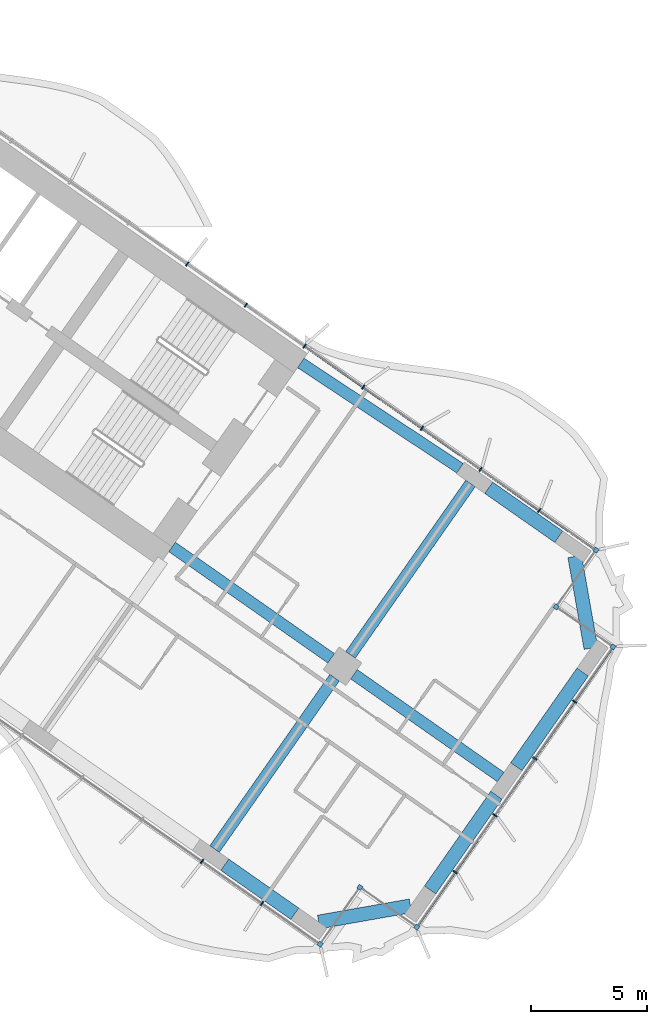
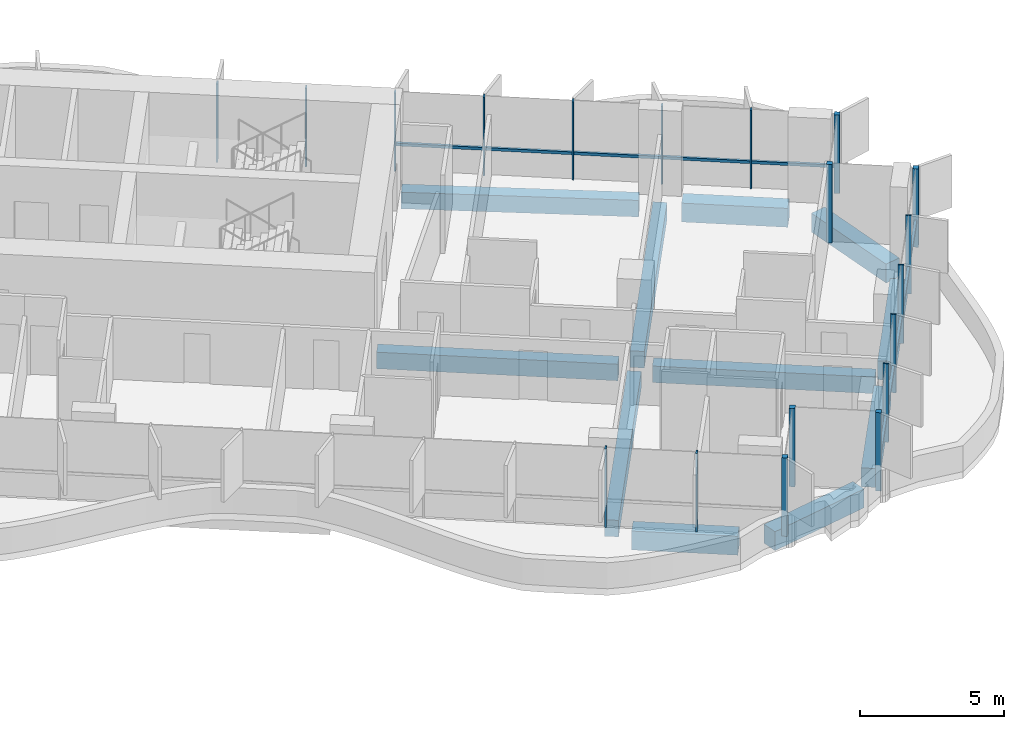
# One storey, part 9 of 23: 21 members, 11 beams, 2 elements without a shape of their own.
"""IFC4 building model written with IfcOpenShell, lengths in metres."""

from ifc_helpers import new_model, si_unit, direction, frame, origin, origin_2d, place, context, subcontext, project, spatial, rectangle, extrude, material, material_profile, profile_set, type_object, element, aggregate, save


model = new_model("IFC4")

# Units and contexts
model_context = context("Model", 3, precision=1e-05, world=origin(), true_north=direction((0.0, 1.0)))
body_context = subcontext(model_context, "Body", "Model", "MODEL_VIEW")
ifc_project = project(units=[si_unit("LENGTHUNIT", "METRE"), si_unit("AREAUNIT", "SQUARE_METRE"), si_unit("VOLUMEUNIT", "CUBIC_METRE"), si_unit("PLANEANGLEUNIT", "RADIAN"), si_unit("MASSUNIT", "GRAM", prefix="KILO")], contexts=[model_context])

# Site, building, storey
site_placement = place(None, origin())
site = spatial("IfcSite", under=ifc_project, at=site_placement, CompositionType="ELEMENT")
building_placement = place(site_placement, origin())
building = spatial("IfcBuilding", under=site, at=building_placement, Name="Tel Ilan Convention Tower", CompositionType="ELEMENT")
storey_placement = place(building_placement, frame((0.0, 0.0, 112.10009765625)))
storey = spatial("IfcBuildingStorey", under=building, at=storey_placement, Name="L24", CompositionType="ELEMENT", Elevation=112.10009765625)

# Beams
ifc_material_1 = material(Name="Concrete C40/50", Category="concrete")
ifc_material_profile_1 = material_profile(ifc_material_1, rectangle(XDim=0.5, YDim=0.699951171875, at=origin_2d()), Name="RC 500x700")
ifc_profile_set_1 = profile_set([ifc_material_profile_1], Name="Concrete C40/50")
beam_type_1 = type_object("IfcBeamType", Name="Beam RC 500x700 Concrete C40/50", PredefinedType="BEAM", material=ifc_profile_set_1)
beam_1_placement = place(storey_placement, frame((34.570556640625, -12.08447265625, -0.630126953125), z_axis=(-0.834273603487, 0.551350663847, 0.0), x_axis=(-0.551350663847, -0.834273603487, 0.0)))
element("IfcBeam", 1, at=beam_1_placement, inside=storey, type_object=beam_type_1, Name="L24 beam E-E-B4-core", PredefinedType="BEAM", context=body_context, shape_type="SweptSolid", body=[
    extrude(rectangle(XDim=0.5, YDim=0.699951171875, at=origin_2d()), origin(), (0.0, 0.0, 1.0), 8.2529296875),
])
beam_2_placement = place(storey_placement, frame((22.1171875, -15.486572265625, -0.630126953125), z_axis=(0.819147254605, -0.573583276668, 0.0), x_axis=(0.573583276668, 0.819147254605, 0.0)))
element("IfcBeam", 2, at=beam_2_placement, inside=storey, type_object=beam_type_1, Name="L24 beam E-core-E-M4", PredefinedType="BEAM", context=body_context, shape_type="SweptSolid", body=[
    extrude(rectangle(XDim=0.5, YDim=0.699951171875, at=origin_2d()), origin(), (0.0, 0.0, 1.0), 8.400146484375),
])
beam_3_placement = place(storey_placement, frame((29.98095703125, -20.992919921875, -0.630126953125), z_axis=(0.819159394801, -0.573565938589, 0.0), x_axis=(0.573565938589, 0.819159394801, 0.0)))
element("IfcBeam", 3, at=beam_3_placement, inside=storey, type_object=beam_type_1, Name="L24 beam E-E-M4-end", PredefinedType="BEAM", context=body_context, shape_type="SweptSolid", body=[
    extrude(rectangle(XDim=0.5, YDim=0.699951171875, at=origin_2d()), origin(), (0.0, 0.0, 1.0), 7.75),
])
for number, where, z_axis, x_axis, name in (
    (4, (29.145263671875, -21.14013671875, -0.630126953125), (-0.573549245583, -0.819171082798, 0.0), (0.819171082798, -0.573549245583, 0.0), "L24 beam E-E-M4-E-F4"),
    (5, (29.83349609375, -20.1572265625, -0.630126953125), (0.57358002233, 0.819149533348, 0.0), (-0.819149533348, 0.57358002233, 0.0), "L24 beam E-E-M4-E-B4"),
):
    element("IfcBeam", number, at=place(storey_placement, frame(where, z_axis=z_axis, x_axis=x_axis)), inside=storey, type_object=beam_type_1, Name=name, PredefinedType="BEAM", context=body_context, shape_type="SweptSolid", body=[
        extrude(rectangle(XDim=0.5, YDim=0.699951171875, at=origin_2d()), origin(), (0.0, 0.0, 1.0), 9.050048828125),
    ])
ifc_material_2 = material(Name="Concrete C40/50", Category="concrete")
ifc_material_profile_2 = material_profile(ifc_material_2, rectangle(XDim=0.60009765625, YDim=0.800048828125, at=origin_2d()), Name="RC 600x800")
ifc_profile_set_2 = profile_set([ifc_material_profile_2], Name="Concrete C40/50")
beam_type_2 = type_object("IfcBeamType", Name="Beam RC 600x800 Concrete C40/50", PredefinedType="BEAM", material=ifc_profile_set_2)
beam_4_placement = place(storey_placement, frame((24.396728515625, -29.2294921875, -0.68017578125), z_axis=(0.819132709951, -0.573604047656, 0.0), x_axis=(0.573604047656, 0.819132709951, 0.0)))
element("IfcBeam", 6, at=beam_4_placement, inside=storey, type_object=beam_type_2, Name="L24 beam E-E-F4-E-FC", PredefinedType="BEAM", context=body_context, shape_type="SweptSolid", body=[
    extrude(rectangle(XDim=0.60009765625, YDim=0.800048828125, at=origin_2d()), origin(), (0.0, 0.0, 1.0), 3.699951171875),
])
beam_5_placement = place(storey_placement, frame((28.459716796875, -31.708251953125, -0.68017578125), z_axis=(0.984806721117, 0.173654029734, 0.0), x_axis=(-0.173654029734, 0.984806721117, 0.0)))
element("IfcBeam", 7, at=beam_5_placement, inside=storey, type_object=beam_type_2, Name="L24 beam E-E-FC-E-E1", PredefinedType="BEAM", context=body_context, shape_type="SweptSolid", body=[
    extrude(rectangle(XDim=0.60009765625, YDim=0.800048828125, at=origin_2d()), origin(), (0.0, 0.0, 1.0), 4.03076171875),
])
for number, where, z_axis, x_axis, name in (
    (8, (33.277099609375, -30.3203125, -0.68017578125), (0.573586866468, 0.819144740944, 0.0), (-0.819144740944, 0.573586866468, 0.0), "L24 beam E-E-E1-E-E2"),
    (9, (37.00537109375, -24.995849609375, -0.68017578125), (0.573586866468, 0.819144740944, 0.0), (-0.819144740944, 0.573586866468, 0.0), "L24 beam E-E-E2-E-E3"),
):
    element("IfcBeam", number, at=place(storey_placement, frame(where, z_axis=z_axis, x_axis=x_axis)), inside=storey, type_object=beam_type_2, Name=name, PredefinedType="BEAM", context=body_context, shape_type="SweptSolid", body=[
        extrude(rectangle(XDim=0.60009765625, YDim=0.800048828125, at=origin_2d()), origin(), (0.0, 0.0, 1.0), 5.0),
    ])
beam_6_placement = place(storey_placement, frame((40.229736328125, -19.867919921875, -0.68017578125), z_axis=(-0.173664388751, 0.984804894423, 0.0), x_axis=(-0.984804894423, -0.173664388751, 0.0)))
element("IfcBeam", 10, at=beam_6_placement, inside=storey, type_object=beam_type_2, Name="L24 beam E-E-E3-E-BC", PredefinedType="BEAM", context=body_context, shape_type="SweptSolid", body=[
    extrude(rectangle(XDim=0.60009765625, YDim=0.800048828125, at=origin_2d()), origin(), (0.0, 0.0, 1.0), 4.030517578125),
])
beam_7_placement = place(storey_placement, frame((38.841796875, -15.050537109375, -0.68017578125), z_axis=(-0.819185419371, 0.573528768842, 0.0), x_axis=(-0.573528768842, -0.819185419371, 0.0)))
element("IfcBeam", 11, at=beam_7_placement, inside=storey, type_object=beam_type_2, Name="L24 beam E-E-BC-E-B4", PredefinedType="BEAM", context=body_context, shape_type="SweptSolid", body=[
    extrude(rectangle(XDim=0.60009765625, YDim=0.800048828125, at=origin_2d()), origin(), (0.0, 0.0, 1.0), 3.699951171875),
])

# Curtain wall, members
ifc_material_3 = material(Name="Aluminium, bronze anodised", Category="aluminium")
curtain_wall_type_1 = type_object("IfcCurtainWallType", Name="CW1 UNITISED CURTAIN WALL, HOTEL TINTED GLASS", PredefinedType="NOTDEFINED", material=ifc_material_3)
curtain_wall_1_placement = place(storey_placement, origin())
curtain_wall_1 = element("IfcCurtainWall", 12, at=curtain_wall_1_placement, inside=storey, type_object=curtain_wall_type_1, Name="Curtain wall CW1-20.02", PredefinedType="NOTDEFINED")
ifc_material_4 = material(Name="Aluminium, bronze anodised", Category="aluminium")
ifc_material_profile_3 = material_profile(ifc_material_4, rectangle(XDim=0.199951171875, YDim=0.199951171875, at=origin_2d()), Name="CW CORNER MULLION 200x200")
ifc_profile_set_3 = profile_set([ifc_material_profile_3], Name="Aluminium, bronze anodised")
member_type_1 = type_object("IfcMemberType", Name="CW CORNER MULLION 200x200", PredefinedType="MULLION", material=ifc_profile_set_3)
member_1_placement = place(storey_placement, frame((28.52099609375, -32.666748046875, 0.0), z_axis=(0.0, 0.0, 1.0), x_axis=(0.819152044289, -0.573576436351, 0.0)))
member_1 = element("IfcMember", 13, at=member_1_placement, type_object=member_type_1, Name="Corner mullion", PredefinedType="MULLION", context=body_context, shape_type="SweptSolid", body=[
    extrude(rectangle(XDim=0.199951171875, YDim=0.199951171875, at=origin_2d()), origin(), (0.0, 0.0, 1.0), 3.31982421875),
])
member_2_placement = place(storey_placement, frame((30.241943359375, -30.209228515625, 0.0), z_axis=(0.0, 0.0, 1.0), x_axis=(0.573576436351, 0.819152044289, 0.0)))
member_2 = element("IfcMember", 14, at=member_2_placement, type_object=member_type_1, Name="Corner mullion", PredefinedType="MULLION", context=body_context, shape_type="SweptSolid", body=[
    extrude(rectangle(XDim=0.199951171875, YDim=0.199951171875, at=origin_2d()), origin(), (0.0, 0.0, 1.0), 3.31982421875),
])
member_3_placement = place(storey_placement, frame((32.69921875, -31.929931640625, 0.0), z_axis=(0.0, 0.0, 1.0), x_axis=(0.819152044289, -0.573576436351, 0.0)))
member_3 = element("IfcMember", 15, at=member_3_placement, type_object=member_type_1, Name="Corner mullion", PredefinedType="MULLION", context=body_context, shape_type="SweptSolid", body=[
    extrude(rectangle(XDim=0.199951171875, YDim=0.199951171875, at=origin_2d()), origin(), (0.0, 0.0, 1.0), 3.31982421875),
])
member_4_placement = place(storey_placement, frame((41.188232421875, -19.806640625, 0.0), z_axis=(0.0, 0.0, 1.0), x_axis=(0.573576436351, 0.819152044289, 0.0)))
member_4 = element("IfcMember", 16, at=member_4_placement, type_object=member_type_1, Name="Corner mullion", PredefinedType="MULLION", context=body_context, shape_type="SweptSolid", body=[
    extrude(rectangle(XDim=0.199951171875, YDim=0.199951171875, at=origin_2d()), origin(), (0.0, 0.0, 1.0), 3.31982421875),
])
member_5_placement = place(storey_placement, frame((38.730712890625, -18.0859375, 0.0), z_axis=(0.0, 0.0, 1.0), x_axis=(-0.819152044289, 0.573576436351, 0.0)))
member_5 = element("IfcMember", 17, at=member_5_placement, type_object=member_type_1, Name="Corner mullion", PredefinedType="MULLION", context=body_context, shape_type="SweptSolid", body=[
    extrude(rectangle(XDim=0.199951171875, YDim=0.199951171875, at=origin_2d()), origin(), (0.0, 0.0, 1.0), 3.31982421875),
])
member_6_placement = place(storey_placement, frame((40.451416015625, -15.62841796875, 0.0), z_axis=(0.0, 0.0, 1.0), x_axis=(0.573576436351, 0.819152044289, 0.0)))
member_6 = element("IfcMember", 18, at=member_6_placement, type_object=member_type_1, Name="Corner mullion", PredefinedType="MULLION", context=body_context, shape_type="SweptSolid", body=[
    extrude(rectangle(XDim=0.199951171875, YDim=0.199951171875, at=origin_2d()), origin(), (0.0, 0.0, 1.0), 3.31982421875),
])

ifc_material_5 = material(Name="Aluminium, bronze anodised", Category="aluminium")
curtain_wall_type_2 = type_object("IfcCurtainWallType", Name="CW2 STICK CURTAIN WALL, SPANDREL PANELS", PredefinedType="NOTDEFINED", material=ifc_material_5)
curtain_wall_2_placement = place(storey_placement, origin())
curtain_wall_2 = element("IfcCurtainWall", 19, at=curtain_wall_2_placement, inside=storey, type_object=curtain_wall_type_2, Name="Curtain wall CW2-20.01", PredefinedType="NOTDEFINED")
ifc_material_6 = material(Name="Aluminium, bronze anodised", Category="aluminium")
ifc_material_profile_4 = material_profile(ifc_material_6, rectangle(XDim=0.06005859375, YDim=0.199951171875, at=origin_2d()), Name="CW MULLION 60x200")
ifc_profile_set_4 = profile_set([ifc_material_profile_4], Name="Aluminium, bronze anodised")
member_type_2 = type_object("IfcMemberType", Name="CW MULLION 60x200", PredefinedType="MULLION", material=ifc_profile_set_4)
member_7_placement = place(storey_placement, frame((27.848876953125, -6.803955078125, 0.0), z_axis=(0.0, 0.0, 1.0), x_axis=(-0.819152044289, 0.573576436351, 0.0)))
member_7 = element("IfcMember", 20, at=member_7_placement, type_object=member_type_2, Name="Mullion", PredefinedType="MULLION", context=body_context, shape_type="SweptSolid", body=[
    extrude(rectangle(XDim=0.06005859375, YDim=0.199951171875, at=origin_2d()), origin(), (0.0, 0.0, 1.0), 3.31982421875),
])
member_8_placement = place(storey_placement, frame((25.311767578125, -5.027587890625, 0.0), z_axis=(0.0, 0.0, 1.0), x_axis=(-0.819152044289, 0.573576436351, 0.0)))
member_8 = element("IfcMember", 21, at=member_8_placement, type_object=member_type_2, Name="Mullion", PredefinedType="MULLION", context=body_context, shape_type="SweptSolid", body=[
    extrude(rectangle(XDim=0.06005859375, YDim=0.199951171875, at=origin_2d()), origin(), (0.0, 0.0, 1.0), 3.31982421875),
])
member_9_placement = place(storey_placement, frame((22.77490234375, -3.251220703125, 0.0), z_axis=(0.0, 0.0, 1.0), x_axis=(-0.819152044289, 0.573576436351, 0.0)))
member_9 = element("IfcMember", 22, at=member_9_placement, type_object=member_type_2, Name="Mullion", PredefinedType="MULLION", context=body_context, shape_type="SweptSolid", body=[
    extrude(rectangle(XDim=0.06005859375, YDim=0.199951171875, at=origin_2d()), origin(), (0.0, 0.0, 1.0), 3.31982421875),
])
aggregate(curtain_wall_2, [member_7, member_8, member_9])

# Member
member_10_placement = place(storey_placement, frame((23.412841796875, -29.08984375, 0.0), z_axis=(0.0, 0.0, 1.0), x_axis=(0.819152044289, -0.573576436351, 0.0)))
member_10 = element("IfcMember", 23, at=member_10_placement, type_object=member_type_2, Name="Mullion", PredefinedType="MULLION", context=body_context, shape_type="SweptSolid", body=[
    extrude(rectangle(XDim=0.06005859375, YDim=0.199951171875, at=origin_2d()), origin(), (0.0, 0.0, 1.0), 3.31982421875),
])

member_11_placement = place(storey_placement, frame((26.008056640625, -30.906982421875, 0.0), z_axis=(0.0, 0.0, 1.0), x_axis=(0.819152044289, -0.573576436351, 0.0)))
member_11 = element("IfcMember", 24, at=member_11_placement, type_object=member_type_2, Name="Mullion", PredefinedType="MULLION", context=body_context, shape_type="SweptSolid", body=[
    extrude(rectangle(XDim=0.06005859375, YDim=0.199951171875, at=origin_2d()), origin(), (0.0, 0.0, 1.0), 3.31982421875),
])

member_12_placement = place(storey_placement, frame((34.362548828125, -29.554443359375, 0.0), z_axis=(0.0, 0.0, 1.0), x_axis=(0.573576436351, 0.819152044289, 0.0)))
member_12 = element("IfcMember", 25, at=member_12_placement, type_object=member_type_2, Name="Mullion", PredefinedType="MULLION", context=body_context, shape_type="SweptSolid", body=[
    extrude(rectangle(XDim=0.06005859375, YDim=0.199951171875, at=origin_2d()), origin(), (0.0, 0.0, 1.0), 3.31982421875),
])

member_13_placement = place(storey_placement, frame((36.08349609375, -27.096923828125, 0.0), z_axis=(0.0, 0.0, 1.0), x_axis=(0.573576436351, 0.819152044289, 0.0)))
member_13 = element("IfcMember", 26, at=member_13_placement, type_object=member_type_2, Name="Mullion", PredefinedType="MULLION", context=body_context, shape_type="SweptSolid", body=[
    extrude(rectangle(XDim=0.06005859375, YDim=0.199951171875, at=origin_2d()), origin(), (0.0, 0.0, 1.0), 3.31982421875),
])

member_14_placement = place(storey_placement, frame((37.80419921875, -24.6396484375, 0.0), z_axis=(0.0, 0.0, 1.0), x_axis=(0.573576436351, 0.819152044289, 0.0)))
member_14 = element("IfcMember", 27, at=member_14_placement, type_object=member_type_2, Name="Mullion", PredefinedType="MULLION", context=body_context, shape_type="SweptSolid", body=[
    extrude(rectangle(XDim=0.06005859375, YDim=0.199951171875, at=origin_2d()), origin(), (0.0, 0.0, 1.0), 3.31982421875),
])

member_15_placement = place(storey_placement, frame((39.52490234375, -22.18212890625, 0.0), z_axis=(0.0, 0.0, 1.0), x_axis=(0.573576436351, 0.819152044289, 0.0)))
member_15 = element("IfcMember", 28, at=member_15_placement, type_object=member_type_2, Name="Mullion", PredefinedType="MULLION", context=body_context, shape_type="SweptSolid", body=[
    extrude(rectangle(XDim=0.06005859375, YDim=0.199951171875, at=origin_2d()), origin(), (0.0, 0.0, 1.0), 3.31982421875),
])

member_16_placement = place(storey_placement, frame((37.99658203125, -13.909423828125, 0.0), z_axis=(0.0, 0.0, 1.0), x_axis=(-0.819152044289, 0.573576436351, 0.0)))
member_16 = element("IfcMember", 29, at=member_16_placement, type_object=member_type_2, Name="Mullion", PredefinedType="MULLION", context=body_context, shape_type="SweptSolid", body=[
    extrude(rectangle(XDim=0.06005859375, YDim=0.199951171875, at=origin_2d()), origin(), (0.0, 0.0, 1.0), 3.31982421875),
])

member_17_placement = place(storey_placement, frame((35.45947265625, -12.133056640625, 0.0), z_axis=(0.0, 0.0, 1.0), x_axis=(-0.819152044289, 0.573576436351, 0.0)))
member_17 = element("IfcMember", 30, at=member_17_placement, type_object=member_type_2, Name="Mullion", PredefinedType="MULLION", context=body_context, shape_type="SweptSolid", body=[
    extrude(rectangle(XDim=0.06005859375, YDim=0.199951171875, at=origin_2d()), origin(), (0.0, 0.0, 1.0), 3.31982421875),
])

member_18_placement = place(storey_placement, frame((32.922607421875, -10.356689453125, 0.0), z_axis=(0.0, 0.0, 1.0), x_axis=(-0.819152044289, 0.573576436351, 0.0)))
member_18 = element("IfcMember", 31, at=member_18_placement, type_object=member_type_2, Name="Mullion", PredefinedType="MULLION", context=body_context, shape_type="SweptSolid", body=[
    extrude(rectangle(XDim=0.06005859375, YDim=0.199951171875, at=origin_2d()), origin(), (0.0, 0.0, 1.0), 3.31982421875),
])

member_19_placement = place(storey_placement, frame((30.3857421875, -8.580322265625, 0.0), z_axis=(0.0, 0.0, 1.0), x_axis=(-0.819152044289, 0.573576436351, 0.0)))
member_19 = element("IfcMember", 32, at=member_19_placement, type_object=member_type_2, Name="Mullion", PredefinedType="MULLION", context=body_context, shape_type="SweptSolid", body=[
    extrude(rectangle(XDim=0.06005859375, YDim=0.199951171875, at=origin_2d()), origin(), (0.0, 0.0, 1.0), 3.31982421875),
])

ifc_material_7 = material(Name="Aluminium, bronze anodised", Category="aluminium")
ifc_material_profile_5 = material_profile(ifc_material_7, rectangle(XDim=0.10009765625, YDim=0.1201171875, at=origin_2d()), Name="CW TRANSOM 100x120")
ifc_profile_set_5 = profile_set([ifc_material_profile_5], Name="Aluminium, bronze anodised")
member_type_3 = type_object("IfcMemberType", Name="CW TRANSOM 100x120", PredefinedType="USERDEFINED", material=ifc_profile_set_5)
member_20_placement = place(storey_placement, frame((32.756591796875, -31.84814453125, 1.099853515625), z_axis=(0.573575688231, 0.819152568128, 0.0), x_axis=(-0.819152568128, 0.573575688231, 0.0)))
member_20 = element("IfcMember", 33, at=member_20_placement, type_object=member_type_3, Name="Transom", ObjectType="TRANSOM", PredefinedType="USERDEFINED", context=body_context, shape_type="SweptSolid", body=[
    extrude(rectangle(XDim=0.10009765625, YDim=0.1201171875, at=origin_2d()), origin(), (0.0, 0.0, 1.0), 14.60009765625),
])

member_21_placement = place(storey_placement, frame((40.36962890625, -15.571044921875, 1.099853515625), z_axis=(-0.819152967985, 0.573575117174, 0.0), x_axis=(-0.573575117174, -0.819152967985, 0.0)))
member_21 = element("IfcMember", 34, at=member_21_placement, type_object=member_type_3, Name="Transom", ObjectType="TRANSOM", PredefinedType="USERDEFINED", context=body_context, shape_type="SweptSolid", body=[
    extrude(rectangle(XDim=0.10009765625, YDim=0.1201171875, at=origin_2d()), origin(), (0.0, 0.0, 1.0), 15.255126953125),
])

aggregate(curtain_wall_1, [member_10, member_11, member_1, member_2, member_3, member_12, member_13, member_14, member_15, member_4, member_20, member_5, member_6, member_16, member_17, member_18, member_19, member_21])

save(model, "model.ifc")
